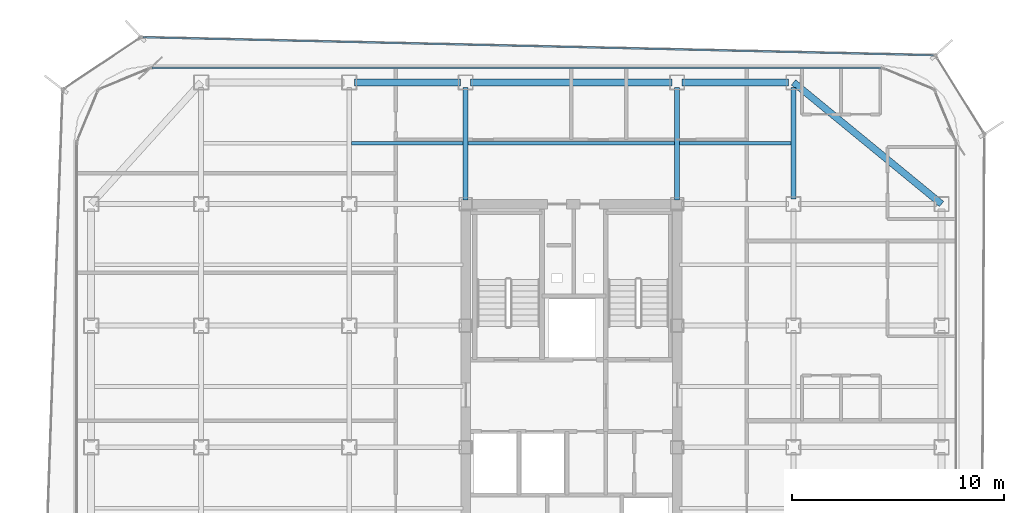
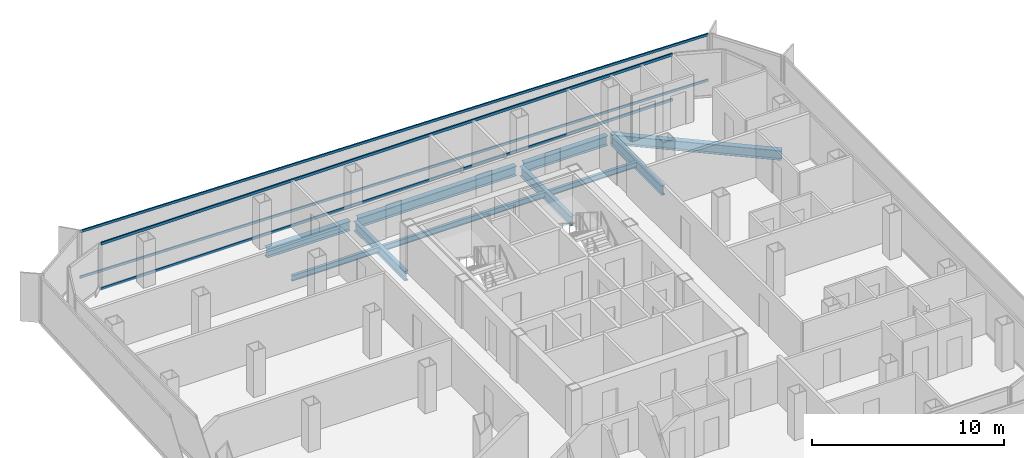
# One storey, part 7 of 16: 10 beams, 4 members, 2 elements without a shape of their own.
"""IFC4 building model written with IfcOpenShell, lengths in metres."""

from ifc_helpers import new_model, si_unit, direction, frame, origin, origin_2d, place, context, subcontext, project, spatial, hollow_rectangle, i_section, extrude, source, transform, mapped, material, layer, layer_set, material_profile, profile_set, type_object, element, aggregate, save


model = new_model("IFC4")

# Units and contexts
model_context = context("Model", 3, precision=1e-05, world=origin(), true_north=direction((0.0, 1.0)))
body_context = subcontext(model_context, "Body", "Model", "MODEL_VIEW")
ifc_project = project(units=[si_unit("LENGTHUNIT", "METRE"), si_unit("AREAUNIT", "SQUARE_METRE"), si_unit("VOLUMEUNIT", "CUBIC_METRE"), si_unit("PLANEANGLEUNIT", "RADIAN"), si_unit("MASSUNIT", "GRAM", prefix="KILO")], contexts=[model_context])

# Site, building, storey
site_placement = place(None, origin())
site = spatial("IfcSite", under=ifc_project, at=site_placement, CompositionType="ELEMENT")
building_placement = place(site_placement, origin())
building = spatial("IfcBuilding", under=site, at=building_placement, Name="Kolveth Station Tower", CompositionType="ELEMENT")
storey_placement = place(building_placement, frame((0.0, 0.0, 162.5)))
storey = spatial("IfcBuildingStorey", under=building, at=storey_placement, Name="L45", CompositionType="ELEMENT", Elevation=162.5)

# Beams
ifc_material_1 = material(Name="Steel S355", Category="steel")
ifc_material_profile_1 = material_profile(ifc_material_1, i_section(OverallWidth=0.323974609375, OverallDepth=0.611083984375, WebThickness=0.0126953125, FlangeThickness=0.01904296875, at=origin_2d()), Name="W610x155")
ifc_profile_set_1 = profile_set([ifc_material_profile_1], Name="Steel S355")
beam_type_1 = type_object("IfcBeamType", Name="Beam_SP2", PredefinedType="SPANDREL", material=ifc_profile_set_1)
shared_shape_1 = source(origin(), body_context, "Body", "SweptSolid", [
    extrude(i_section(OverallWidth=0.323974609375, OverallDepth=0.611083984375, WebThickness=0.0126953125, FlangeThickness=0.01904296875, at=origin_2d()), origin(), (0.0, 0.0, 1.0), 5.02001953125),
])
for number, where, z_axis, x_axis, name in (
    (1, (13.239990234375, 34.5, -0.555419921875), (1.0, 0.0, 0.0), (0.0, 1.0, 0.0), "L45 Perimeter Spandrel BM-L45-PN-2"),
    (2, (28.739990234375, 34.5, -0.555419921875), (1.0, 0.0, 0.0), (0.0, 1.0, 0.0), "L45 Perimeter Spandrel BM-L45-PN-4"),
):
    element("IfcBeam", number, at=place(storey_placement, frame(where, z_axis=z_axis, x_axis=x_axis)), inside=storey, type_object=beam_type_1, Name=name, PredefinedType="SPANDREL", context=body_context, shape_type="MappedRepresentation", body=[
        mapped(shared_shape_1, transform((0.0, 0.0, 0.0), x_axis=(1.0, 0.0, 0.0), y_axis=(0.0, 1.0, 0.0), z_axis=(0.0, 0.0, 1.0), scale=1.0)),
    ])
shared_shape_2 = source(origin(), body_context, "Body", "SweptSolid", [
    extrude(i_section(OverallWidth=0.323974609375, OverallDepth=0.611083984375, WebThickness=0.0126953125, FlangeThickness=0.01904296875, at=origin_2d()), origin(), (0.0, 0.0, 1.0), 9.52001953125),
])
beam_1_placement = place(storey_placement, frame((18.739990234375, 34.5, -0.555419921875), z_axis=(1.0, 0.0, 0.0), x_axis=(0.0, 1.0, 0.0)))
element("IfcBeam", 3, at=beam_1_placement, inside=storey, type_object=beam_type_1, Name="L45 Perimeter Spandrel BM-L45-PN-3", PredefinedType="SPANDREL", context=body_context, shape_type="MappedRepresentation", body=[
    mapped(shared_shape_2, transform((0.0, 0.0, 0.0), x_axis=(1.0, 0.0, 0.0), y_axis=(0.0, 1.0, 0.0), z_axis=(0.0, 0.0, 1.0), scale=1.0)),
])
shared_shape_3 = source(origin(), body_context, "Body", "SweptSolid", [
    extrude(i_section(OverallWidth=0.323974609375, OverallDepth=0.611083984375, WebThickness=0.0126953125, FlangeThickness=0.01904296875, at=origin_2d()), origin(), (0.0, 0.0, 1.0), 9.058837890625),
])
beam_2_placement = place(storey_placement, frame((41.0, 28.75, -0.555419921875), z_axis=(-0.772726254525, 0.63473942336, 0.0), x_axis=(-0.63473942336, -0.772726254525, 0.0)))
element("IfcBeam", 4, at=beam_2_placement, inside=storey, type_object=beam_type_1, Name="L45 Corner Edge Girder BM-L45-CNR-NE", PredefinedType="SPANDREL", context=body_context, shape_type="MappedRepresentation", body=[
    mapped(shared_shape_3, transform((0.0, 0.0, 0.0), x_axis=(1.0, 0.0, 0.0), y_axis=(0.0, 1.0, 0.0), z_axis=(0.0, 0.0, 1.0), scale=1.0)),
])
ifc_material_profile_2 = material_profile(ifc_material_1, i_section(OverallWidth=0.22900390625, OverallDepth=0.612060546875, WebThickness=0.011962890625, FlangeThickness=0.01953125, at=origin_2d()), Name="W610x125")
ifc_profile_set_2 = profile_set([ifc_material_profile_2], Name="Steel S355")
beam_type_2 = type_object("IfcBeamType", Name="Beam_B5", PredefinedType="BEAM", material=ifc_profile_set_2)
shared_shape_4 = source(origin(), body_context, "Body", "SweptSolid", [
    extrude(i_section(OverallWidth=0.22900390625, OverallDepth=0.612060546875, WebThickness=0.011962890625, FlangeThickness=0.01953125, at=origin_2d()), origin(), (0.0, 0.0, 1.0), 5.27001953125),
])
beam_3_placement = place(storey_placement, frame((34.0, 28.989990234375, -0.555908203125), z_axis=(0.0, 1.0, 0.0), x_axis=(-1.0, 0.0, 0.0)))
element("IfcBeam", 5, at=beam_3_placement, inside=storey, type_object=beam_type_2, Name="L45 Primary Girder BM-L45-GX340-6", PredefinedType="BEAM", context=body_context, shape_type="MappedRepresentation", body=[
    mapped(shared_shape_4, transform((0.0, 0.0, 0.0), x_axis=(1.0, 0.0, 0.0), y_axis=(0.0, 1.0, 0.0), z_axis=(0.0, 0.0, 1.0), scale=1.0)),
])
shared_shape_5 = source(origin(), body_context, "Body", "SweptSolid", [
    extrude(i_section(OverallWidth=0.22900390625, OverallDepth=0.612060546875, WebThickness=0.011962890625, FlangeThickness=0.01953125, at=origin_2d()), origin(), (0.0, 0.0, 1.0), 5.31005859375),
])
for number, where, z_axis, x_axis, name in (
    (6, (18.5, 28.949951171875, -0.555908203125), (0.0, 1.0, 0.0), (-1.0, 0.0, 0.0), "L45 Primary Girder BM-L45-GX185-6"),
    (7, (28.5, 28.949951171875, -0.555908203125), (0.0, 1.0, 0.0), (-1.0, 0.0, 0.0), "L45 Primary Girder BM-L45-GX285-6"),
):
    element("IfcBeam", number, at=place(storey_placement, frame(where, z_axis=z_axis, x_axis=x_axis)), inside=storey, type_object=beam_type_2, Name=name, PredefinedType="BEAM", context=body_context, shape_type="MappedRepresentation", body=[
        mapped(shared_shape_5, transform((0.0, 0.0, 0.0), x_axis=(1.0, 0.0, 0.0), y_axis=(0.0, 1.0, 0.0), z_axis=(0.0, 0.0, 1.0), scale=1.0)),
    ])
ifc_material_profile_3 = material_profile(ifc_material_1, i_section(OverallWidth=0.1708984375, OverallDepth=0.35205078125, WebThickness=0.0068359375, FlangeThickness=0.009765625, at=origin_2d()), Name="W360x44")
ifc_profile_set_3 = profile_set([ifc_material_profile_3], Name="Steel S355")
beam_type_3 = type_object("IfcBeamType", Name="Beam_J2", PredefinedType="JOIST", material=ifc_profile_set_3)
shared_shape_6 = source(origin(), body_context, "Body", "SweptSolid", [
    extrude(i_section(OverallWidth=0.1708984375, OverallDepth=0.35205078125, WebThickness=0.0068359375, FlangeThickness=0.009765625, at=origin_2d()), origin(), (0.0, 0.0, 1.0), 5.27490234375),
])
for number, where, z_axis, x_axis, name in (
    (8, (13.112548828125, 31.625, -0.426025390625), (1.0, 0.0, 0.0), (0.0, 1.0, 0.0), "L45 Secondary Joist JST-L45-3-6"),
    (9, (28.612548828125, 31.625, -0.426025390625), (1.0, 0.0, 0.0), (0.0, 1.0, 0.0), "L45 Secondary Joist JST-L45-5-6"),
):
    element("IfcBeam", number, at=place(storey_placement, frame(where, z_axis=z_axis, x_axis=x_axis)), inside=storey, type_object=beam_type_3, Name=name, PredefinedType="JOIST", context=body_context, shape_type="MappedRepresentation", body=[
        mapped(shared_shape_6, transform((0.0, 0.0, 0.0), x_axis=(1.0, 0.0, 0.0), y_axis=(0.0, 1.0, 0.0), z_axis=(0.0, 0.0, 1.0), scale=1.0)),
    ])
shared_shape_7 = source(origin(), body_context, "Body", "SweptSolid", [
    extrude(i_section(OverallWidth=0.1708984375, OverallDepth=0.35205078125, WebThickness=0.0068359375, FlangeThickness=0.009765625, at=origin_2d()), origin(), (0.0, 0.0, 1.0), 9.77490234375),
])
beam_4_placement = place(storey_placement, frame((18.612548828125, 31.625, -0.426025390625), z_axis=(1.0, 0.0, 0.0), x_axis=(0.0, 1.0, 0.0)))
element("IfcBeam", 10, at=beam_4_placement, inside=storey, type_object=beam_type_3, Name="L45 Secondary Joist JST-L45-4-6", PredefinedType="JOIST", context=body_context, shape_type="MappedRepresentation", body=[
    mapped(shared_shape_7, transform((0.0, 0.0, 0.0), x_axis=(1.0, 0.0, 0.0), y_axis=(0.0, 1.0, 0.0), z_axis=(0.0, 0.0, 1.0), scale=1.0)),
])

# Curtain wall, members
ifc_material_2 = material(Name="Aluminium 6063-T6 and low-E dark glass", Category="aluminium")
ifc_layer_1 = layer(ifc_material_2, 0.18994140625)
ifc_layer_set_1 = layer_set([ifc_layer_1], Name="Aluminium 6063-T6 and low-E dark glass")
curtain_wall_type_1 = type_object("IfcCurtainWallType", Name="CurtainWall_CW-Z2", PredefinedType="NOTDEFINED", material=ifc_layer_set_1)
curtain_wall_1_placement = place(storey_placement, origin())
curtain_wall_1 = element("IfcCurtainWall", 11, at=curtain_wall_1_placement, inside=storey, type_object=curtain_wall_type_1, Name="L45 Inner Thermal Curtain Wall 6", PredefinedType="NOTDEFINED")
ifc_material_3 = material(Name="Black anodized aluminium 6063-T6", Category="aluminium")
ifc_material_profile_4 = material_profile(ifc_material_3, hollow_rectangle(XDim=0.080078125, YDim=0.169921875, WallThickness=0.0048828125, at=origin_2d()), Name="ALU-80x170x5")
ifc_profile_set_4 = profile_set([ifc_material_profile_4], Name="Black anodized aluminium 6063-T6")
member_type_1 = type_object("IfcMemberType", Name="Transom_TR2", PredefinedType="USERDEFINED", material=ifc_profile_set_4)
shared_shape_8 = source(origin(), body_context, "Body", "SweptSolid", [
    extrude(hollow_rectangle(XDim=0.080078125, YDim=0.169921875, WallThickness=0.0048828125, at=origin_2d()), origin(), (0.0, 0.0, 1.0), 34.440185546875),
])
member_1_placement = place(storey_placement, frame((38.1201171875, 35.179931640625, 0.0400390625), z_axis=(-1.0, 0.0, 0.0), x_axis=(0.0, -1.0, 0.0)))
member_1 = element("IfcMember", 12, at=member_1_placement, type_object=member_type_1, Name="CW-Z2 transom 1.1", ObjectType="TRANSOM", PredefinedType="USERDEFINED", context=body_context, shape_type="MappedRepresentation", body=[
    mapped(shared_shape_8, transform((0.0, 0.0, 0.0), x_axis=(1.0, 0.0, 0.0), y_axis=(0.0, 1.0, 0.0), z_axis=(0.0, 0.0, 1.0), scale=1.0)),
])
member_2_placement = place(storey_placement, frame((38.1201171875, 35.179931640625, 2.909912109375), z_axis=(-1.0, 0.0, 0.0), x_axis=(0.0, -1.0, 0.0)))
member_2 = element("IfcMember", 13, at=member_2_placement, type_object=member_type_1, Name="CW-Z2 transom 1.2", ObjectType="TRANSOM", PredefinedType="USERDEFINED", context=body_context, shape_type="MappedRepresentation", body=[
    mapped(shared_shape_8, transform((0.0, 0.0, 0.0), x_axis=(1.0, 0.0, 0.0), y_axis=(0.0, 1.0, 0.0), z_axis=(0.0, 0.0, 1.0), scale=1.0)),
])
aggregate(curtain_wall_1, [member_1, member_2])

ifc_material_4 = material(Name="Black anodized aluminium 6063-T6 and dark solar glass", Category="aluminium")
ifc_layer_2 = layer(ifc_material_4, 0.159912109375)
ifc_layer_set_2 = layer_set([ifc_layer_2], Name="Black anodized aluminium 6063-T6 and dark solar glass")
curtain_wall_type_2 = type_object("IfcCurtainWallType", Name="OUTER SKIN CW-OS", PredefinedType="NOTDEFINED", material=ifc_layer_set_2)
curtain_wall_2_placement = place(storey_placement, origin())
curtain_wall_2 = element("IfcCurtainWall", 14, at=curtain_wall_2_placement, inside=storey, type_object=curtain_wall_type_2, Name="L45 Outer Ventilated Skin Curtain Wall 4", PredefinedType="NOTDEFINED")
ifc_material_profile_5 = material_profile(ifc_material_3, hollow_rectangle(XDim=0.080078125, YDim=0.14990234375, WallThickness=0.0048828125, at=origin_2d()), Name="ALU-80x150x5")
ifc_profile_set_5 = profile_set([ifc_material_profile_5], Name="Black anodized aluminium 6063-T6")
member_type_2 = type_object("IfcMemberType", Name="Transom_TR-OS", PredefinedType="USERDEFINED", material=ifc_profile_set_5)
shared_shape_9 = source(origin(), body_context, "Body", "SweptSolid", [
    extrude(hollow_rectangle(XDim=0.080078125, YDim=0.14990234375, WallThickness=0.0048828125, at=origin_2d()), origin(), (0.0, 0.0, 1.0), 37.381103515625),
])
member_3_placement = place(storey_placement, frame((40.621826171875, 35.78173828125, 0.0400390625), z_axis=(-0.999741825429, 0.022721850429, 0.0), x_axis=(-0.022721850429, -0.999741825429, 0.0)))
member_3 = element("IfcMember", 15, at=member_3_placement, type_object=member_type_2, Name="CW-OS transom 1.1", ObjectType="TRANSOM", PredefinedType="USERDEFINED", context=body_context, shape_type="MappedRepresentation", body=[
    mapped(shared_shape_9, transform((0.0, 0.0, 0.0), x_axis=(1.0, 0.0, 0.0), y_axis=(0.0, 1.0, 0.0), z_axis=(0.0, 0.0, 1.0), scale=1.0)),
])
member_4_placement = place(storey_placement, frame((40.621826171875, 35.78173828125, 2.949951171875), z_axis=(-0.999741825429, 0.022721850429, 0.0), x_axis=(-0.022721850429, -0.999741825429, 0.0)))
member_4 = element("IfcMember", 16, at=member_4_placement, type_object=member_type_2, Name="CW-OS transom 1.2", ObjectType="TRANSOM", PredefinedType="USERDEFINED", context=body_context, shape_type="MappedRepresentation", body=[
    mapped(shared_shape_9, transform((0.0, 0.0, 0.0), x_axis=(1.0, 0.0, 0.0), y_axis=(0.0, 1.0, 0.0), z_axis=(0.0, 0.0, 1.0), scale=1.0)),
])
aggregate(curtain_wall_2, [member_3, member_4])

save(model, "model.ifc")
